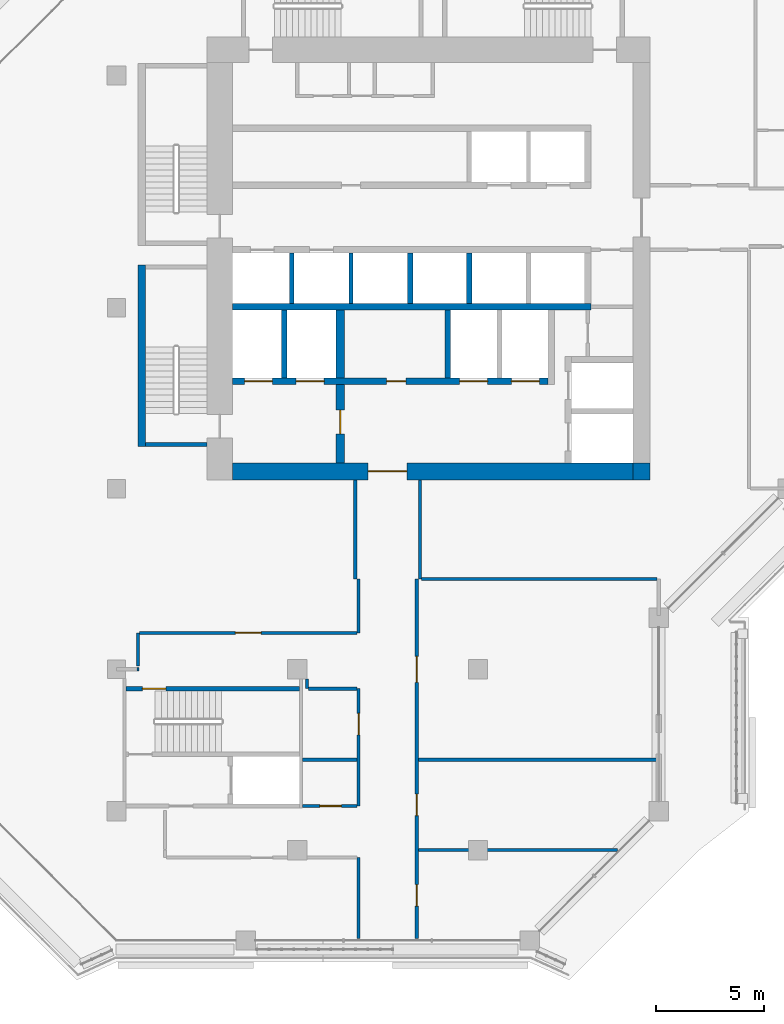
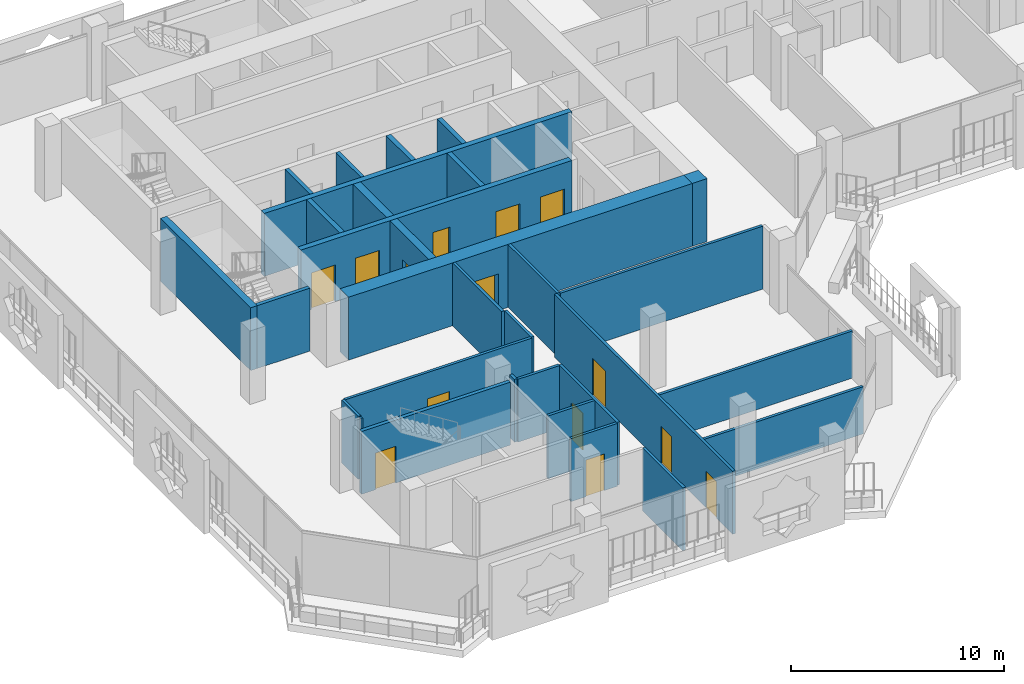
# One storey, part 10 of 23: 31 walls, 14 doors, 14 openings.
"""IFC4 building model written with IfcOpenShell, lengths in metres."""

from ifc_helpers import new_model, si_unit, direction, frame, frame_2d, origin, place, context, subcontext, project, spatial, rectangle, extrude, material, layer, layer_set, type_object, element, fill, save


model = new_model("IFC4")

# Units and contexts
model_context = context("Model", 3, precision=1e-05, world=origin(), true_north=direction((0.0, 1.0)))
body_context = subcontext(model_context, "Body", "Model", "MODEL_VIEW")
ifc_project = project(units=[si_unit("LENGTHUNIT", "METRE"), si_unit("AREAUNIT", "SQUARE_METRE"), si_unit("VOLUMEUNIT", "CUBIC_METRE"), si_unit("PLANEANGLEUNIT", "RADIAN"), si_unit("MASSUNIT", "GRAM", prefix="KILO")], contexts=[model_context])

# Site, building, storey
site_placement = place(None, origin())
site = spatial("IfcSite", under=ifc_project, at=site_placement, CompositionType="ELEMENT")
building_placement = place(site_placement, origin())
building = spatial("IfcBuilding", under=site, at=building_placement, Name="Kawkab Arch Medical Tower", CompositionType="ELEMENT")
storey_placement = place(building_placement, frame((0.0, 0.0, 247.39990234375)))
storey = spatial("IfcBuildingStorey", under=building, at=storey_placement, Name="L57", CompositionType="ELEMENT", Elevation=247.39990234375)

# Wall, opening, door
ifc_material_1 = material(Name="Concrete C50/60", Category="concrete")
ifc_layer_1 = layer(ifc_material_1, 0.800048828125)
ifc_layer_set_1 = layer_set([ifc_layer_1], Name="Concrete C50/60")
wall_type_1 = type_object("IfcWallType", Name="Core ring wall 800 C50/60", PredefinedType="SHEAR", material=ifc_layer_set_1)
wall_1_placement = place(storey_placement, frame((5.39990234375, -24.39990234375, 0.0), z_axis=(0.0, 0.0, 1.0), x_axis=(1.0, 0.0, 0.0)))
wall_1 = element("IfcWall", 1, at=wall_1_placement, inside=storey, type_object=wall_type_1, Name="L57 core wall", PredefinedType="SHEAR", context=body_context, shape_type="SweptSolid", body=[
    extrude(rectangle(XDim=18.60009765625, YDim=0.800048828125, at=frame_2d((9.300048828125, 0.0))), origin(), (0.0, 0.0, 1.0), 3.60009765625),
])
opening_1_placement = place(wall_1_placement, frame((6.300048828125, 0.0, 0.0)))
opening_1 = element("IfcOpeningElement", 2, at=opening_1_placement, cuts=wall_1, Name="Opening PD", PredefinedType="OPENING", context=body_context, shape_type="SweptSolid", body=[
    extrude(rectangle(XDim=1.800048828125, YDim=2.10009765625, at=frame_2d((0.89990234375, 1.050048828125))), frame((0.0, 0.409912109375, 0.0), z_axis=(0.0, -1.0, 0.0), x_axis=(1.0, 0.0, 0.0)), (0.0, 0.0, 1.0), 0.820068359375),
])
ifc_material_2 = material(Name="Hollow metal fire door leaf")
door_type_1 = type_object("IfcDoorType", Name="Core entrance doors 1800", OperationType="DOUBLE_DOOR_SINGLE_SWING", PredefinedType="DOOR", material=ifc_material_2)
door_1_placement = place(opening_1_placement, origin())
door_1 = element("IfcDoor", 3, at=door_1_placement, inside=storey, type_object=door_type_1, Name="L57 South entrance doors", OperationType="DOUBLE_DOOR_SINGLE_SWING", OverallHeight=2.10009765625, OverallWidth=1.800048828125, PredefinedType="DOOR", context=body_context, shape_type="SweptSolid", body=[
    extrude(rectangle(XDim=1.800048828125, YDim=2.10009765625, at=frame_2d((0.89990234375, 1.050048828125))), frame((0.0, 0.02490234375, 0.0), z_axis=(0.0, -1.0, 0.0), x_axis=(1.0, 0.0, 0.0)), (0.0, 0.0, 1.0), 0.050048828125),
])
fill(opening_1, door_1)

# Walls
wall_2_placement = place(storey_placement, frame((24.39990234375, -24.800048828125, 0.0), z_axis=(0.0, 0.0, 1.0), x_axis=(0.0, 1.0, 0.0)))
element("IfcWall", 4, at=wall_2_placement, inside=storey, type_object=wall_type_1, Name="L57 core wall", PredefinedType="SHEAR", context=body_context, shape_type="SweptSolid", body=[
    extrude(rectangle(XDim=0.800048828125, YDim=0.800048828125, at=frame_2d((0.39990234375, 0.0))), origin(), (0.0, 0.0, 1.0), 3.60009765625),
])
ifc_material_3 = material(Name="Concrete C60/75", Category="concrete")
ifc_layer_2 = layer(ifc_material_3, 0.25)
ifc_layer_set_2 = layer_set([ifc_layer_2], Name="Concrete C60/75")
wall_type_2 = type_object("IfcWallType", Name="Core shear wall 250 C60/75", PredefinedType="SHEAR", material=ifc_layer_set_2)
for number, where, z_axis, x_axis, name in (
    (5, (7.800048828125, -20.050048828125, 0.0), (0.0, 0.0, 1.0), (0.0, 1.0, 0.0), "L57 core shear wall"),
    (6, (15.39990234375, -20.050048828125, 0.0), (0.0, 0.0, 1.0), (0.0, 1.0, 0.0), "L57 core shear wall"),
):
    element("IfcWall", number, at=place(storey_placement, frame(where, z_axis=z_axis, x_axis=x_axis)), inside=storey, type_object=wall_type_2, Name=name, PredefinedType="SHEAR", context=body_context, shape_type="SweptSolid", body=[
        extrude(rectangle(XDim=3.150146484375, YDim=0.25, at=frame_2d((1.5751953125, 0.0))), origin(), (0.0, 0.0, 1.0), 3.60009765625),
    ])
for number, where, z_axis, x_axis, name in (
    (7, (13.64990234375, -16.60009765625, 0.0), (0.0, 0.0, 1.0), (0.0, 1.0, 0.0), "L57 core shear wall"),
    (8, (16.39990234375, -16.60009765625, 0.0), (0.0, 0.0, 1.0), (0.0, 1.0, 0.0), "L57 core shear wall"),
):
    element("IfcWall", number, at=place(storey_placement, frame(where, z_axis=z_axis, x_axis=x_axis)), inside=storey, type_object=wall_type_2, Name=name, PredefinedType="SHEAR", context=body_context, shape_type="SweptSolid", body=[
        extrude(rectangle(XDim=2.35009765625, YDim=0.25, at=frame_2d((1.175048828125, 0.0))), origin(), (0.0, 0.0, 1.0), 3.60009765625),
    ])
ifc_material_4 = material(Name="Concrete C60/75", Category="concrete")
ifc_layer_3 = layer(ifc_material_4, 0.300048828125)
ifc_layer_set_3 = layer_set([ifc_layer_3], Name="Concrete C60/75")
wall_type_3 = type_object("IfcWallType", Name="Core shear wall 300 C60/75", PredefinedType="SHEAR", material=ifc_layer_set_3)
wall_3_placement = place(storey_placement, frame((5.39990234375, -16.75, 0.0), z_axis=(0.0, 0.0, 1.0), x_axis=(1.0, 0.0, 0.0)))
element("IfcWall", 9, at=wall_3_placement, inside=storey, type_object=wall_type_3, Name="L57 core shear wall", PredefinedType="SHEAR", context=body_context, shape_type="SweptSolid", body=[
    extrude(rectangle(XDim=16.650146484375, YDim=0.300048828125, at=frame_2d((8.3251953125, 0.0))), origin(), (0.0, 0.0, 1.0), 3.60009765625),
])

# Wall, openings, doors
wall_4_placement = place(storey_placement, frame((5.39990234375, -20.199951171875, 0.0), z_axis=(0.0, 0.0, 1.0), x_axis=(1.0, 0.0, 0.0)))
wall_4 = element("IfcWall", 10, at=wall_4_placement, inside=storey, type_object=wall_type_3, Name="L57 core shear wall", PredefinedType="SHEAR", context=body_context, shape_type="SweptSolid", body=[
    extrude(rectangle(XDim=14.650146484375, YDim=0.300048828125, at=frame_2d((7.3251953125, 0.0))), origin(), (0.0, 0.0, 1.0), 3.60009765625),
])
opening_2_placement = place(wall_4_placement, frame((10.550048828125, 0.0, 0.0)))
opening_2 = element("IfcOpeningElement", 11, at=opening_2_placement, cuts=wall_4, Name="Opening LD2", PredefinedType="OPENING", context=body_context, shape_type="SweptSolid", body=[
    extrude(rectangle(XDim=1.300048828125, YDim=2.10009765625, at=frame_2d((0.64990234375, 1.050048828125))), frame((0.0, 0.159912109375, 0.0), z_axis=(0.0, -1.0, 0.0), x_axis=(1.0, 0.0, 0.0)), (0.0, 0.0, 1.0), 0.320068359375),
])
opening_3_placement = place(wall_4_placement, frame((12.949951171875, 0.0, 0.0)))
opening_3 = element("IfcOpeningElement", 12, at=opening_3_placement, cuts=wall_4, Name="Opening LD2", PredefinedType="OPENING", context=body_context, shape_type="SweptSolid", body=[
    extrude(rectangle(XDim=1.300048828125, YDim=2.10009765625, at=frame_2d((0.64990234375, 1.050048828125))), frame((0.0, 0.159912109375, 0.0), z_axis=(0.0, -1.0, 0.0), x_axis=(1.0, 0.0, 0.0)), (0.0, 0.0, 1.0), 0.320068359375),
])
opening_4_placement = place(wall_4_placement, frame((0.550048828125, 0.0, 0.0)))
opening_4 = element("IfcOpeningElement", 13, at=opening_4_placement, cuts=wall_4, Name="Opening LD2", PredefinedType="OPENING", context=body_context, shape_type="SweptSolid", body=[
    extrude(rectangle(XDim=1.300048828125, YDim=2.10009765625, at=frame_2d((0.64990234375, 1.050048828125))), frame((0.0, 0.159912109375, 0.0), z_axis=(0.0, -1.0, 0.0), x_axis=(1.0, 0.0, 0.0)), (0.0, 0.0, 1.0), 0.320068359375),
])
opening_5_placement = place(wall_4_placement, frame((2.949951171875, 0.0, 0.0)))
opening_5 = element("IfcOpeningElement", 14, at=opening_5_placement, cuts=wall_4, Name="Opening LD2", PredefinedType="OPENING", context=body_context, shape_type="SweptSolid", body=[
    extrude(rectangle(XDim=1.300048828125, YDim=2.10009765625, at=frame_2d((0.64990234375, 1.050048828125))), frame((0.0, 0.159912109375, 0.0), z_axis=(0.0, -1.0, 0.0), x_axis=(1.0, 0.0, 0.0)), (0.0, 0.0, 1.0), 0.320068359375),
])
opening_6_placement = place(wall_4_placement, frame((7.14990234375, 0.0, 0.0)))
opening_6 = element("IfcOpeningElement", 15, at=opening_6_placement, cuts=wall_4, Name="Opening RD", PredefinedType="OPENING", context=body_context, shape_type="SweptSolid", body=[
    extrude(rectangle(XDim=0.89990234375, YDim=2.10009765625, at=frame_2d((0.449951171875, 1.050048828125))), frame((0.0, 0.159912109375, 0.0), z_axis=(0.0, -1.0, 0.0), x_axis=(1.0, 0.0, 0.0)), (0.0, 0.0, 1.0), 0.320068359375),
])
ifc_material_5 = material(Name="Hollow metal fire door leaf")
door_type_2 = type_object("IfcDoorType", Name="Core room door 900", OperationType="SINGLE_SWING_LEFT", PredefinedType="DOOR", material=ifc_material_5)
door_2_placement = place(opening_6_placement, origin())
door_2 = element("IfcDoor", 16, at=door_2_placement, inside=storey, type_object=door_type_2, Name="L57 Linen store door", OperationType="SINGLE_SWING_LEFT", OverallHeight=2.10009765625, OverallWidth=0.89990234375, PredefinedType="DOOR", context=body_context, shape_type="SweptSolid", body=[
    extrude(rectangle(XDim=0.89990234375, YDim=2.10009765625, at=frame_2d((0.449951171875, 1.050048828125))), frame((0.0, 0.02490234375, 0.0), z_axis=(0.0, -1.0, 0.0), x_axis=(1.0, 0.0, 0.0)), (0.0, 0.0, 1.0), 0.050048828125),
])
fill(opening_6, door_2)
ifc_material_6 = material(Name="Stainless steel lift door leaf", Category="steel")
door_type_3 = type_object("IfcDoorType", Name="Lift landing door 1300", OperationType="DOUBLE_DOOR_SLIDING", PredefinedType="DOOR", material=ifc_material_6)
door_3_placement = place(opening_2_placement, origin())
door_3 = element("IfcDoor", 17, at=door_3_placement, inside=storey, type_object=door_type_3, Name="L57 Lift landing door BD3", OperationType="DOUBLE_DOOR_SLIDING", OverallHeight=2.10009765625, OverallWidth=1.300048828125, PredefinedType="DOOR", context=body_context, shape_type="SweptSolid", body=[
    extrude(rectangle(XDim=1.300048828125, YDim=2.10009765625, at=frame_2d((0.64990234375, 1.050048828125))), frame((0.0, 0.02490234375, 0.0), z_axis=(0.0, -1.0, 0.0), x_axis=(1.0, 0.0, 0.0)), (0.0, 0.0, 1.0), 0.050048828125),
])
fill(opening_2, door_3)
door_4_placement = place(opening_3_placement, origin())
door_4 = element("IfcDoor", 18, at=door_4_placement, inside=storey, type_object=door_type_3, Name="L57 Lift landing door BD4", OperationType="DOUBLE_DOOR_SLIDING", OverallHeight=2.10009765625, OverallWidth=1.300048828125, PredefinedType="DOOR", context=body_context, shape_type="SweptSolid", body=[
    extrude(rectangle(XDim=1.300048828125, YDim=2.10009765625, at=frame_2d((0.64990234375, 1.050048828125))), frame((0.0, 0.02490234375, 0.0), z_axis=(0.0, -1.0, 0.0), x_axis=(1.0, 0.0, 0.0)), (0.0, 0.0, 1.0), 0.050048828125),
])
fill(opening_3, door_4)
door_5_placement = place(opening_4_placement, origin())
door_5 = element("IfcDoor", 19, at=door_5_placement, inside=storey, type_object=door_type_3, Name="L57 Lift landing door FL1", OperationType="DOUBLE_DOOR_SLIDING", OverallHeight=2.10009765625, OverallWidth=1.300048828125, PredefinedType="DOOR", context=body_context, shape_type="SweptSolid", body=[
    extrude(rectangle(XDim=1.300048828125, YDim=2.10009765625, at=frame_2d((0.64990234375, 1.050048828125))), frame((0.0, 0.02490234375, 0.0), z_axis=(0.0, -1.0, 0.0), x_axis=(1.0, 0.0, 0.0)), (0.0, 0.0, 1.0), 0.050048828125),
])
fill(opening_4, door_5)
door_6_placement = place(opening_5_placement, origin())
door_6 = element("IfcDoor", 20, at=door_6_placement, inside=storey, type_object=door_type_3, Name="L57 Lift landing door FL2", OperationType="DOUBLE_DOOR_SLIDING", OverallHeight=2.10009765625, OverallWidth=1.300048828125, PredefinedType="DOOR", context=body_context, shape_type="SweptSolid", body=[
    extrude(rectangle(XDim=1.300048828125, YDim=2.10009765625, at=frame_2d((0.64990234375, 1.050048828125))), frame((0.0, 0.02490234375, 0.0), z_axis=(0.0, -1.0, 0.0), x_axis=(1.0, 0.0, 0.0)), (0.0, 0.0, 1.0), 0.050048828125),
])
fill(opening_5, door_6)

# Wall, opening, door
ifc_material_7 = material(Name="Concrete C60/75", Category="concrete")
ifc_layer_4 = layer(ifc_material_7, 0.39990234375)
ifc_layer_set_4 = layer_set([ifc_layer_4], Name="Concrete C60/75")
wall_type_4 = type_object("IfcWallType", Name="Core shear wall 400 C60/75", PredefinedType="SHEAR", material=ifc_layer_set_4)
wall_5_placement = place(storey_placement, frame((10.39990234375, -24.0, 0.0), z_axis=(0.0, 0.0, 1.0), x_axis=(0.0, 1.0, 0.0)))
wall_5 = element("IfcWall", 21, at=wall_5_placement, inside=storey, type_object=wall_type_4, Name="L57 core shear wall", PredefinedType="SHEAR", context=body_context, shape_type="SweptSolid", body=[
    extrude(rectangle(XDim=3.64990234375, YDim=0.39990234375, at=frame_2d((1.824951171875, 0.0))), origin(), (0.0, 0.0, 1.0), 3.60009765625),
])
opening_7_placement = place(wall_5_placement, frame((1.35009765625, 0.0, 0.0)))
opening_7 = element("IfcOpeningElement", 22, at=opening_7_placement, cuts=wall_5, Name="Opening FD", PredefinedType="OPENING", context=body_context, shape_type="SweptSolid", body=[
    extrude(rectangle(XDim=1.10009765625, YDim=2.10009765625, at=frame_2d((0.550048828125, 1.050048828125))), frame((0.0, 0.2099609375, 0.0), z_axis=(0.0, -1.0, 0.0), x_axis=(1.0, 0.0, 0.0)), (0.0, 0.0, 1.0), 0.419921875),
])
ifc_material_8 = material(Name="Hollow metal fire door leaf")
door_type_4 = type_object("IfcDoorType", Name="Firefighting lobby door 1100", OperationType="SINGLE_SWING_LEFT", PredefinedType="DOOR", material=ifc_material_8)
door_7_placement = place(opening_7_placement, origin())
door_7 = element("IfcDoor", 23, at=door_7_placement, inside=storey, type_object=door_type_4, Name="L57 Firefighting lobby door", OperationType="SINGLE_SWING_LEFT", OverallHeight=2.10009765625, OverallWidth=1.10009765625, PredefinedType="DOOR", context=body_context, shape_type="SweptSolid", body=[
    extrude(rectangle(XDim=1.10009765625, YDim=2.10009765625, at=frame_2d((0.550048828125, 1.050048828125))), frame((0.0, 0.02490234375, 0.0), z_axis=(0.0, -1.0, 0.0), x_axis=(1.0, 0.0, 0.0)), (0.0, 0.0, 1.0), 0.050048828125),
])
fill(opening_7, door_7)

# Walls
wall_6_placement = place(storey_placement, frame((10.39990234375, -20.050048828125, 0.0), z_axis=(0.0, 0.0, 1.0), x_axis=(0.0, 1.0, 0.0)))
element("IfcWall", 24, at=wall_6_placement, inside=storey, type_object=wall_type_4, Name="L57 core shear wall", PredefinedType="SHEAR", context=body_context, shape_type="SweptSolid", body=[
    extrude(rectangle(XDim=3.150146484375, YDim=0.39990234375, at=frame_2d((1.5751953125, 0.0))), origin(), (0.0, 0.0, 1.0), 3.60009765625),
])
ifc_material_9 = material(Name="Dense concrete blockwork", Category="masonry")
ifc_layer_5 = layer(ifc_material_9, 0.199951171875)
ifc_layer_set_5 = layer_set([ifc_layer_5], Name="Dense concrete blockwork")
wall_type_5 = type_object("IfcWallType", Name="Lift shaft partition 200", PredefinedType="PARTITIONING", material=ifc_layer_set_5)
for number, where, z_axis, x_axis, name in (
    (25, (8.14990234375, -16.60009765625, 0.0), (0.0, 0.0, 1.0), (0.0, 1.0, 0.0), "L57 lift shaft partition"),
    (26, (10.89990234375, -16.60009765625, 0.0), (0.0, 0.0, 1.0), (0.0, 1.0, 0.0), "L57 lift shaft partition"),
):
    element("IfcWall", number, at=place(storey_placement, frame(where, z_axis=z_axis, x_axis=x_axis)), inside=storey, type_object=wall_type_5, Name=name, PredefinedType="PARTITIONING", context=body_context, shape_type="SweptSolid", body=[
        extrude(rectangle(XDim=2.35009765625, YDim=0.199951171875, at=frame_2d((1.175048828125, 0.0))), origin(), (0.0, 0.0, 1.0), 3.60009765625),
    ])
ifc_material_10 = material(Name="Gypsum board partition on steel studs, mineral wool", Category="steel")
ifc_layer_6 = layer(ifc_material_10, 0.14990234375)
ifc_layer_set_6 = layer_set([ifc_layer_6], Name="Gypsum board partition on steel studs, mineral wool")
wall_type_6 = type_object("IfcWallType", Name="Partition 150", PredefinedType="PARTITIONING", material=ifc_layer_set_6)
wall_7_placement = place(storey_placement, frame((14.02490234375, -42.0, 0.0), z_axis=(0.0, 0.0, 1.0), x_axis=(1.0, 0.0, 0.0)))
element("IfcWall", 27, at=wall_7_placement, inside=storey, type_object=wall_type_6, Name="Partition 150 w020", PredefinedType="PARTITIONING", context=body_context, shape_type="SweptSolid", body=[
    extrude(rectangle(XDim=9.26220703125, YDim=0.14990234375, at=frame_2d((4.631103515625, 0.0))), origin(), (0.0, 0.0, 1.0), 2.7001953125),
])

# Wall, opening, door
wall_8_placement = place(storey_placement, frame((8.64990234375, -39.949951171875, 0.0), z_axis=(0.0, 0.0, 1.0), x_axis=(1.0, 0.0, 0.0)))
wall_8 = element("IfcWall", 28, at=wall_8_placement, inside=storey, type_object=wall_type_6, Name="Partition 150 w021", PredefinedType="PARTITIONING", context=body_context, shape_type="SweptSolid", body=[
    extrude(rectangle(XDim=2.525146484375, YDim=0.14990234375, at=frame_2d((1.2626953125, 0.0))), origin(), (0.0, 0.0, 1.0), 3.60009765625),
])
opening_8_placement = place(wall_8_placement, frame((0.800048828125, 0.0, 0.0)))
opening_8 = element("IfcOpeningElement", 29, at=opening_8_placement, cuts=wall_8, Name="Opening W57-014", PredefinedType="OPENING", context=body_context, shape_type="SweptSolid", body=[
    extrude(rectangle(XDim=1.0, YDim=2.10009765625, at=frame_2d((0.5, 1.050048828125))), frame((0.0, 0.0849609375, 0.0), z_axis=(0.0, -1.0, 0.0), x_axis=(1.0, 0.0, 0.0)), (0.0, 0.0, 1.0), 0.169921875),
])
ifc_material_11 = material(Name="Hollow metal door leaf")
door_type_5 = type_object("IfcDoorType", Name="Single door 1000x2100 FD30S", OperationType="NOTDEFINED", PredefinedType="DOOR", material=ifc_material_11)
door_8_placement = place(opening_8_placement, origin())
door_8 = element("IfcDoor", 30, at=door_8_placement, inside=storey, type_object=door_type_5, Name="Door W57-014", OperationType="SINGLE_SWING_LEFT", OverallHeight=2.10009765625, OverallWidth=1.0, PredefinedType="DOOR", context=body_context, shape_type="SweptSolid", body=[
    extrude(rectangle(XDim=1.0, YDim=2.10009765625, at=frame_2d((0.5, 1.050048828125))), frame((0.0, 0.02490234375, 0.0), z_axis=(0.0, -1.0, 0.0), x_axis=(1.0, 0.0, 0.0)), (0.0, 0.0, 1.0), 0.050048828125),
])
fill(opening_8, door_8)

# Walls
wall_9_placement = place(storey_placement, frame((8.64990234375, -37.800048828125, 0.0), z_axis=(0.0, 0.0, 1.0), x_axis=(1.0, 0.0, 0.0)))
element("IfcWall", 31, at=wall_9_placement, inside=storey, type_object=wall_type_6, Name="Partition 150 w022", PredefinedType="PARTITIONING", context=body_context, shape_type="SweptSolid", body=[
    extrude(rectangle(XDim=2.525146484375, YDim=0.14990234375, at=frame_2d((1.2626953125, 0.0))), origin(), (0.0, 0.0, 1.0), 3.60009765625),
])
wall_10_placement = place(storey_placement, frame((14.02490234375, -37.800048828125, 0.0), z_axis=(0.0, 0.0, 1.0), x_axis=(1.0, 0.0, 0.0)))
element("IfcWall", 32, at=wall_10_placement, inside=storey, type_object=wall_type_6, Name="Partition 150 w023", PredefinedType="PARTITIONING", context=body_context, shape_type="SweptSolid", body=[
    extrude(rectangle(XDim=11.09521484375, YDim=0.14990234375, at=frame_2d((5.547607421875, 0.0))), origin(), (0.0, 0.0, 1.0), 2.7001953125),
])
wall_11_placement = place(storey_placement, frame((8.925048828125, -34.5, 0.0), z_axis=(0.0, 0.0, 1.0), x_axis=(1.0, 0.0, 0.0)))
element("IfcWall", 33, at=wall_11_placement, inside=storey, type_object=wall_type_6, Name="Partition 150 w024", PredefinedType="PARTITIONING", context=body_context, shape_type="SweptSolid", body=[
    extrude(rectangle(XDim=2.25, YDim=0.14990234375, at=frame_2d((1.125, 0.0))), origin(), (0.0, 0.0, 1.0), 3.60009765625),
])
wall_12_placement = place(storey_placement, frame((0.949951171875, -33.590087890625, 0.0), z_axis=(0.0, 0.0, 1.0), x_axis=(1.0, 0.0, 0.0)))
element("IfcWall", 34, at=wall_12_placement, inside=storey, type_object=wall_type_6, Name="Partition 150 w026", PredefinedType="PARTITIONING", context=body_context, shape_type="SweptSolid", body=[
    extrude(rectangle(XDim=0.09912109375, YDim=0.14990234375, at=frame_2d((0.049560546875, 0.0))), origin(), (0.0, 0.0, 1.0), 3.60009765625),
])

# Wall, opening, door
wall_13_placement = place(storey_placement, frame((1.074951171875, -31.906982421875, 0.0), z_axis=(0.0, 0.0, 1.0), x_axis=(1.0, 0.0, 0.0)))
wall_13 = element("IfcWall", 35, at=wall_13_placement, inside=storey, type_object=wall_type_6, Name="Partition 150 w027", PredefinedType="PARTITIONING", context=body_context, shape_type="SweptSolid", body=[
    extrude(rectangle(XDim=10.10009765625, YDim=0.14990234375, at=frame_2d((5.050048828125, 0.0))), origin(), (0.0, 0.0, 1.0), 3.60009765625),
])
opening_9_placement = place(wall_13_placement, frame((4.449951171875, 0.0, 0.0)))
opening_9 = element("IfcOpeningElement", 36, at=opening_9_placement, cuts=wall_13, Name="Opening W57-037", PredefinedType="OPENING", context=body_context, shape_type="SweptSolid", body=[
    extrude(rectangle(XDim=1.199951171875, YDim=2.10009765625, at=frame_2d((0.60009765625, 1.050048828125))), frame((0.0, 0.0849609375, 0.0), z_axis=(0.0, -1.0, 0.0), x_axis=(1.0, 0.0, 0.0)), (0.0, 0.0, 1.0), 0.169921875),
])
ifc_material_12 = material(Name="Hollow metal door leaf")
door_type_6 = type_object("IfcDoorType", Name="Single door 1200x2100 FD30S", OperationType="NOTDEFINED", PredefinedType="DOOR", material=ifc_material_12)
door_9_placement = place(opening_9_placement, origin())
door_9 = element("IfcDoor", 37, at=door_9_placement, inside=storey, type_object=door_type_6, Name="Door W57-037", OperationType="SINGLE_SWING_LEFT", OverallHeight=2.10009765625, OverallWidth=1.199951171875, PredefinedType="DOOR", context=body_context, shape_type="SweptSolid", body=[
    extrude(rectangle(XDim=1.199951171875, YDim=2.10009765625, at=frame_2d((0.60009765625, 1.050048828125))), frame((0.0, 0.02490234375, 0.0), z_axis=(0.0, -1.0, 0.0), x_axis=(1.0, 0.0, 0.0)), (0.0, 0.0, 1.0), 0.050048828125),
])
fill(opening_9, door_9)

# Walls
wall_14_placement = place(storey_placement, frame((14.175048828125, -29.39990234375, 0.0), z_axis=(0.0, 0.0, 1.0), x_axis=(1.0, 0.0, 0.0)))
element("IfcWall", 38, at=wall_14_placement, inside=storey, type_object=wall_type_6, Name="Partition 150 w028", PredefinedType="PARTITIONING", context=body_context, shape_type="SweptSolid", body=[
    extrude(rectangle(XDim=10.949951171875, YDim=0.14990234375, at=frame_2d((5.47509765625, 0.0))), origin(), (0.0, 0.0, 1.0), 3.60009765625),
])
wall_15_placement = place(storey_placement, frame((1.0, -33.455078125, 0.0), z_axis=(0.0, 0.0, 1.0), x_axis=(0.0, 1.0, 0.0)))
element("IfcWall", 39, at=wall_15_placement, inside=storey, type_object=wall_type_6, Name="Partition 150 w042", PredefinedType="PARTITIONING", context=body_context, shape_type="SweptSolid", body=[
    extrude(rectangle(XDim=1.548095703125, YDim=0.14990234375, at=frame_2d((0.77392578125, 0.0))), origin(), (0.0, 0.0, 1.0), 3.60009765625),
])
wall_16_placement = place(storey_placement, frame((8.85009765625, -34.5, 0.0), z_axis=(0.0, 0.0, 1.0), x_axis=(0.0, 1.0, 0.0)))
element("IfcWall", 40, at=wall_16_placement, inside=storey, type_object=wall_type_6, Name="Partition 150 w045", PredefinedType="PARTITIONING", context=body_context, shape_type="SweptSolid", body=[
    extrude(rectangle(XDim=0.448974609375, YDim=0.14990234375, at=frame_2d((0.224609375, 0.0))), origin(), (0.0, 0.0, 1.0), 3.60009765625),
])
wall_17_placement = place(storey_placement, frame((11.10009765625, -29.39990234375, 0.0), z_axis=(0.0, 0.0, 1.0), x_axis=(0.0, 1.0, 0.0)))
element("IfcWall", 41, at=wall_17_placement, inside=storey, type_object=wall_type_6, Name="Partition 150 w046", PredefinedType="PARTITIONING", context=body_context, shape_type="SweptSolid", body=[
    extrude(rectangle(XDim=4.599853515625, YDim=0.14990234375, at=frame_2d((2.2998046875, 0.0))), origin(), (0.0, 0.0, 1.0), 3.60009765625),
])
wall_18_placement = place(storey_placement, frame((11.25, -46.1201171875, 0.0), z_axis=(0.0, 0.0, 1.0), x_axis=(0.0, 1.0, 0.0)))
element("IfcWall", 42, at=wall_18_placement, inside=storey, type_object=wall_type_6, Name="Partition 150 w047", PredefinedType="PARTITIONING", context=body_context, shape_type="SweptSolid", body=[
    extrude(rectangle(XDim=3.77001953125, YDim=0.14990234375, at=frame_2d((1.885009765625, 0.0))), origin(), (0.0, 0.0, 1.0), 3.60009765625),
])

# Wall, opening, door
wall_19_placement = place(storey_placement, frame((11.25, -39.949951171875, 0.0), z_axis=(0.0, 0.0, 1.0), x_axis=(0.0, 1.0, 0.0)))
wall_19 = element("IfcWall", 43, at=wall_19_placement, inside=storey, type_object=wall_type_6, Name="Partition 150 w048", PredefinedType="PARTITIONING", context=body_context, shape_type="SweptSolid", body=[
    extrude(rectangle(XDim=5.449951171875, YDim=0.14990234375, at=frame_2d((2.72509765625, 0.0))), origin(), (0.0, 0.0, 1.0), 3.60009765625),
])
opening_10_placement = place(wall_19_placement, frame((3.300048828125, 0.0, 0.0)))
opening_10 = element("IfcOpeningElement", 44, at=opening_10_placement, cuts=wall_19, Name="Opening W57-013", PredefinedType="OPENING", context=body_context, shape_type="SweptSolid", body=[
    extrude(rectangle(XDim=1.0, YDim=2.10009765625, at=frame_2d((0.5, 1.050048828125))), frame((0.0, 0.0849609375, 0.0), z_axis=(0.0, -1.0, 0.0), x_axis=(1.0, 0.0, 0.0)), (0.0, 0.0, 1.0), 0.169921875),
])
door_10_placement = place(opening_10_placement, origin())
door_10 = element("IfcDoor", 45, at=door_10_placement, inside=storey, type_object=door_type_5, Name="Door W57-013", OperationType="SINGLE_SWING_RIGHT", OverallHeight=2.10009765625, OverallWidth=1.0, PredefinedType="DOOR", context=body_context, shape_type="SweptSolid", body=[
    extrude(rectangle(XDim=1.0, YDim=2.10009765625, at=frame_2d((0.5, 1.050048828125))), frame((0.0, 0.02490234375, 0.0), z_axis=(0.0, -1.0, 0.0), x_axis=(1.0, 0.0, 0.0)), (0.0, 0.0, 1.0), 0.050048828125),
])
fill(opening_10, door_10)

# Wall
wall_20_placement = place(storey_placement, frame((11.25, -31.906982421875, 0.0), z_axis=(0.0, 0.0, 1.0), x_axis=(0.0, 1.0, 0.0)))
element("IfcWall", 46, at=wall_20_placement, inside=storey, type_object=wall_type_6, Name="Partition 150 w049", PredefinedType="PARTITIONING", context=body_context, shape_type="SweptSolid", body=[
    extrude(rectangle(XDim=2.507080078125, YDim=0.14990234375, at=frame_2d((1.25341796875, 0.0))), origin(), (0.0, 0.0, 1.0), 3.60009765625),
])

# Wall, openings, doors
wall_21_placement = place(storey_placement, frame((13.949951171875, -46.1201171875, 0.0), z_axis=(0.0, 0.0, 1.0), x_axis=(0.0, 1.0, 0.0)))
wall_21 = element("IfcWall", 47, at=wall_21_placement, inside=storey, type_object=wall_type_6, Name="Partition 150 w050", PredefinedType="PARTITIONING", context=body_context, shape_type="SweptSolid", body=[
    extrude(rectangle(XDim=16.72021484375, YDim=0.14990234375, at=frame_2d((8.360107421875, 0.0))), origin(), (0.0, 0.0, 1.0), 3.60009765625),
])
opening_11_placement = place(wall_21_placement, frame((11.919921875, 0.0, 0.0)))
opening_11 = element("IfcOpeningElement", 48, at=opening_11_placement, cuts=wall_21, Name="Opening W57-038", PredefinedType="OPENING", context=body_context, shape_type="SweptSolid", body=[
    extrude(rectangle(XDim=1.199951171875, YDim=2.10009765625, at=frame_2d((0.60009765625, 1.050048828125))), frame((0.0, 0.0849609375, 0.0), z_axis=(0.0, -1.0, 0.0), x_axis=(1.0, 0.0, 0.0)), (0.0, 0.0, 1.0), 0.169921875),
])
opening_12_placement = place(wall_21_placement, frame((5.719970703125, 0.0, 0.0)))
opening_12 = element("IfcOpeningElement", 49, at=opening_12_placement, cuts=wall_21, Name="Opening W57-016", PredefinedType="OPENING", context=body_context, shape_type="SweptSolid", body=[
    extrude(rectangle(XDim=1.0, YDim=2.10009765625, at=frame_2d((0.5, 1.050048828125))), frame((0.0, 0.0849609375, 0.0), z_axis=(0.0, -1.0, 0.0), x_axis=(1.0, 0.0, 0.0)), (0.0, 0.0, 1.0), 0.169921875),
])
opening_13_placement = place(wall_21_placement, frame((1.52001953125, 0.0, 0.0)))
opening_13 = element("IfcOpeningElement", 50, at=opening_13_placement, cuts=wall_21, Name="Opening W57-017", PredefinedType="OPENING", context=body_context, shape_type="SweptSolid", body=[
    extrude(rectangle(XDim=1.0, YDim=2.10009765625, at=frame_2d((0.5, 1.050048828125))), frame((0.0, 0.0849609375, 0.0), z_axis=(0.0, -1.0, 0.0), x_axis=(1.0, 0.0, 0.0)), (0.0, 0.0, 1.0), 0.169921875),
])
door_11_placement = place(opening_12_placement, origin())
door_11 = element("IfcDoor", 51, at=door_11_placement, inside=storey, type_object=door_type_5, Name="Door W57-016", OperationType="SINGLE_SWING_RIGHT", OverallHeight=2.10009765625, OverallWidth=1.0, PredefinedType="DOOR", context=body_context, shape_type="SweptSolid", body=[
    extrude(rectangle(XDim=1.0, YDim=2.10009765625, at=frame_2d((0.5, 1.050048828125))), frame((0.0, 0.02490234375, 0.0), z_axis=(0.0, -1.0, 0.0), x_axis=(1.0, 0.0, 0.0)), (0.0, 0.0, 1.0), 0.050048828125),
])
fill(opening_12, door_11)
door_12_placement = place(opening_13_placement, origin())
door_12 = element("IfcDoor", 52, at=door_12_placement, inside=storey, type_object=door_type_5, Name="Door W57-017", OperationType="SINGLE_SWING_RIGHT", OverallHeight=2.10009765625, OverallWidth=1.0, PredefinedType="DOOR", context=body_context, shape_type="SweptSolid", body=[
    extrude(rectangle(XDim=1.0, YDim=2.10009765625, at=frame_2d((0.5, 1.050048828125))), frame((0.0, 0.02490234375, 0.0), z_axis=(0.0, -1.0, 0.0), x_axis=(1.0, 0.0, 0.0)), (0.0, 0.0, 1.0), 0.050048828125),
])
fill(opening_13, door_12)
door_13_placement = place(opening_11_placement, origin())
door_13 = element("IfcDoor", 53, at=door_13_placement, inside=storey, type_object=door_type_6, Name="Door W57-038", OperationType="SINGLE_SWING_LEFT", OverallHeight=2.10009765625, OverallWidth=1.199951171875, PredefinedType="DOOR", context=body_context, shape_type="SweptSolid", body=[
    extrude(rectangle(XDim=1.199951171875, YDim=2.10009765625, at=frame_2d((0.60009765625, 1.050048828125))), frame((0.0, 0.02490234375, 0.0), z_axis=(0.0, -1.0, 0.0), x_axis=(1.0, 0.0, 0.0)), (0.0, 0.0, 1.0), 0.050048828125),
])
fill(opening_11, door_13)

# Walls
wall_22_placement = place(storey_placement, frame((14.10009765625, -29.39990234375, 0.0), z_axis=(0.0, 0.0, 1.0), x_axis=(0.0, 1.0, 0.0)))
element("IfcWall", 54, at=wall_22_placement, inside=storey, type_object=wall_type_6, Name="Partition 150 w051", PredefinedType="PARTITIONING", context=body_context, shape_type="SweptSolid", body=[
    extrude(rectangle(XDim=4.599853515625, YDim=0.14990234375, at=frame_2d((2.2998046875, 0.0))), origin(), (0.0, 0.0, 1.0), 3.60009765625),
])
ifc_material_13 = material(Name="Concrete C50/60", Category="concrete")
ifc_layer_7 = layer(ifc_material_13, 0.199951171875)
ifc_layer_set_7 = layer_set([ifc_layer_7], Name="Concrete C50/60")
wall_type_7 = type_object("IfcWallType", Name="Stair enclosure wall 200 C50/60", PredefinedType="SHEAR", material=ifc_layer_set_7)
wall_23_placement = place(storey_placement, frame((1.35009765625, -23.14990234375, 0.0), z_axis=(0.0, 0.0, 1.0), x_axis=(1.0, 0.0, 0.0)))
element("IfcWall", 55, at=wall_23_placement, inside=storey, type_object=wall_type_7, Name="L57 stair enclosure wall", PredefinedType="SHEAR", context=body_context, shape_type="SweptSolid", body=[
    extrude(rectangle(XDim=2.849853515625, YDim=0.199951171875, at=frame_2d((1.4248046875, 0.0))), origin(), (0.0, 0.0, 1.0), 3.60009765625),
])

# Wall, opening, door
wall_24_placement = place(storey_placement, frame((0.449951171875, -34.5, 0.0), z_axis=(0.0, 0.0, 1.0), x_axis=(1.0, 0.0, 0.0)))
wall_24 = element("IfcWall", 56, at=wall_24_placement, inside=storey, type_object=wall_type_7, Name="L57 stair enclosure wall", PredefinedType="SHEAR", context=body_context, shape_type="SweptSolid", body=[
    extrude(rectangle(XDim=8.050048828125, YDim=0.199951171875, at=frame_2d((4.02490234375, 0.0))), origin(), (0.0, 0.0, 1.0), 3.60009765625),
])
opening_14_placement = place(wall_24_placement, frame((0.75, 0.0, 0.0)))
opening_14 = element("IfcOpeningElement", 57, at=opening_14_placement, cuts=wall_24, Name="Opening SD", PredefinedType="OPENING", context=body_context, shape_type="SweptSolid", body=[
    extrude(rectangle(XDim=1.10009765625, YDim=2.10009765625, at=frame_2d((0.550048828125, 1.050048828125))), frame((0.0, 0.10986328125, 0.0), z_axis=(0.0, -1.0, 0.0), x_axis=(1.0, 0.0, 0.0)), (0.0, 0.0, 1.0), 0.219970703125),
])
ifc_material_14 = material(Name="Hollow metal fire door leaf")
door_type_7 = type_object("IfcDoorType", Name="Exit stair door 1100", OperationType="SINGLE_SWING_LEFT", PredefinedType="DOOR", material=ifc_material_14)
door_14_placement = place(opening_14_placement, origin())
door_14 = element("IfcDoor", 58, at=door_14_placement, inside=storey, type_object=door_type_7, Name="L57 Exit stair ST6 door", OperationType="SINGLE_SWING_LEFT", OverallHeight=2.10009765625, OverallWidth=1.10009765625, PredefinedType="DOOR", context=body_context, shape_type="SweptSolid", body=[
    extrude(rectangle(XDim=1.10009765625, YDim=2.10009765625, at=frame_2d((0.550048828125, 1.050048828125))), frame((0.0, 0.02490234375, 0.0), z_axis=(0.0, -1.0, 0.0), x_axis=(1.0, 0.0, 0.0)), (0.0, 0.0, 1.0), 0.050048828125),
])
fill(opening_14, door_14)

# Wall
ifc_material_15 = material(Name="Concrete C50/60", Category="concrete")
ifc_layer_8 = layer(ifc_material_15, 0.35009765625)
ifc_layer_set_8 = layer_set([ifc_layer_8], Name="Concrete C50/60")
wall_type_8 = type_object("IfcWallType", Name="Stair enclosure wall 350 C50/60", PredefinedType="SHEAR", material=ifc_layer_set_8)
wall_25_placement = place(storey_placement, frame((1.175048828125, -23.25, 0.0), z_axis=(0.0, 0.0, 1.0), x_axis=(0.0, 1.0, 0.0)))
element("IfcWall", 59, at=wall_25_placement, inside=storey, type_object=wall_type_8, Name="L57 stair enclosure wall", PredefinedType="SHEAR", context=body_context, shape_type="SweptSolid", body=[
    extrude(rectangle(XDim=8.449951171875, YDim=0.35009765625, at=frame_2d((4.22509765625, 0.0))), origin(), (0.0, 0.0, 1.0), 3.60009765625),
])

save(model, "model.ifc")
